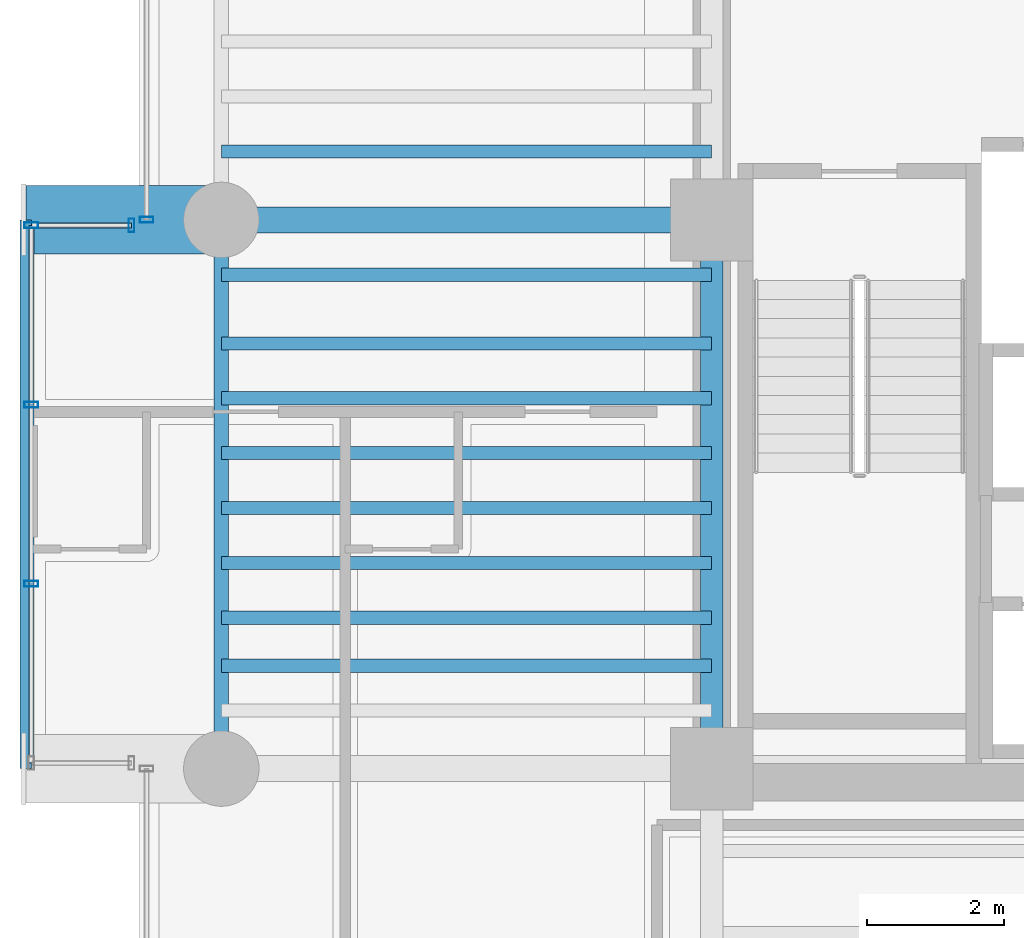
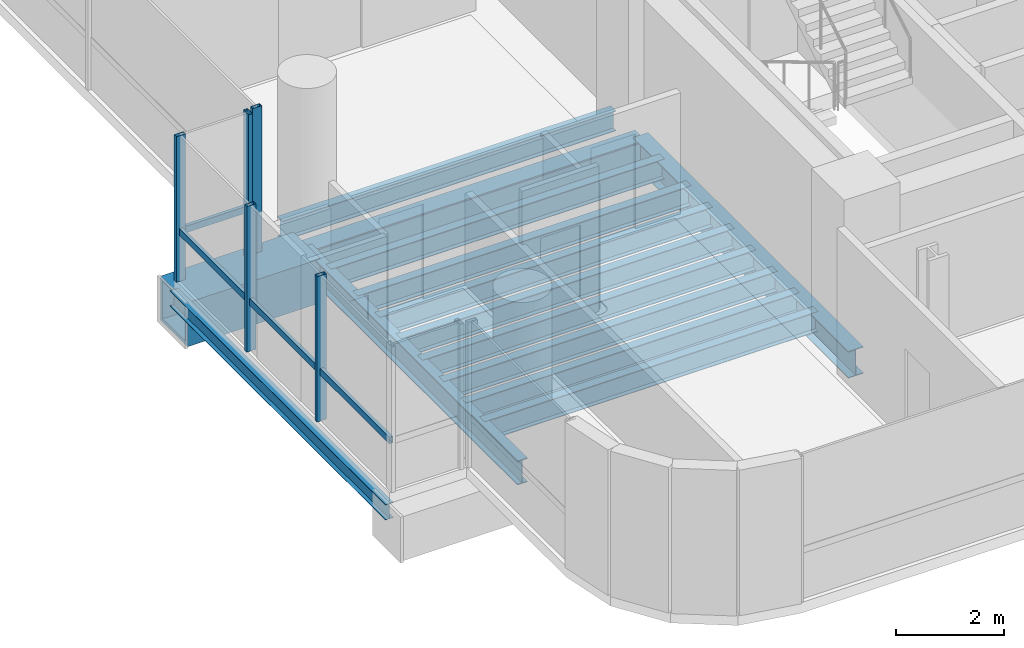
# One storey, part 4 of 35: 14 beams, 7 members, 3 elements without a shape of their own.
"""IFC4 building model written with IfcOpenShell, lengths in metres."""

from ifc_helpers import new_model, si_unit, direction, frame, origin, origin_2d, place, context, subcontext, project, spatial, hollow_rectangle, i_section, extrude, source, transform, mapped, material, material_profile, profile_set, type_object, element, aggregate, save


model = new_model("IFC4")

# Units and contexts
model_context = context("Model", 3, precision=1e-05, world=origin(), true_north=direction((0.0, 1.0)))
body_context = subcontext(model_context, "Body", "Model", "MODEL_VIEW")
ifc_project = project(units=[si_unit("LENGTHUNIT", "METRE"), si_unit("AREAUNIT", "SQUARE_METRE"), si_unit("VOLUMEUNIT", "CUBIC_METRE"), si_unit("PLANEANGLEUNIT", "RADIAN"), si_unit("MASSUNIT", "GRAM", prefix="KILO")], contexts=[model_context])

# Site, building, storey
site_placement = place(None, origin())
site = spatial("IfcSite", under=ifc_project, at=site_placement, CompositionType="ELEMENT")
building_placement = place(site_placement, origin())
building = spatial("IfcBuilding", under=site, at=building_placement, Name="Valdorenza Pilgrim Sanctuary Tower", CompositionType="ELEMENT")
storey_placement = place(building_placement, frame((0.0, 0.0, 168.60009765625)))
storey = spatial("IfcBuildingStorey", under=building, at=storey_placement, Name="L43", CompositionType="ELEMENT", Elevation=168.60009765625)

# Beams
ifc_material_1 = material(Name="Steel ASTM A992 Grade 50", Category="steel")
ifc_material_profile_1 = material_profile(ifc_material_1, i_section(OverallWidth=0.214111328125, OverallDepth=0.549072265625, WebThickness=0.0146484375, FlangeThickness=0.023681640625, at=origin_2d()), Name="W21X93")
ifc_profile_set_1 = profile_set([ifc_material_profile_1], Name="Steel ASTM A992 Grade 50")
beam_type_1 = type_object("IfcBeamType", Name="STR-BM-SPN-W21A", PredefinedType="SPANDREL", material=ifc_profile_set_1)
shared_shape_1 = source(origin(), body_context, "Body", "SweptSolid", [
    extrude(i_section(OverallWidth=0.214111328125, OverallDepth=0.549072265625, WebThickness=0.0146484375, FlangeThickness=0.023681640625, at=origin_2d()), origin(), (0.0, 0.0, 1.0), 8.0),
])
beam_1_placement = place(storey_placement, frame((-29.800048828125, -10.60009765625, -0.5146484375), z_axis=(0.0, 1.0, 0.0), x_axis=(-1.0, 0.0, 0.0)))
element("IfcBeam", 1, at=beam_1_placement, inside=storey, type_object=beam_type_1, Name="L43 Spandrel Beam WA-W-S1M0", PredefinedType="SPANDREL", context=body_context, shape_type="MappedRepresentation", body=[
    mapped(shared_shape_1, transform((0.0, 0.0, 0.0), x_axis=(1.0, 0.0, 0.0), y_axis=(0.0, 1.0, 0.0), z_axis=(0.0, 0.0, 1.0), scale=1.0)),
])
ifc_material_profile_2 = material_profile(ifc_material_1, i_section(OverallWidth=0.323974609375, OverallDepth=0.611083984375, WebThickness=0.0126953125, FlangeThickness=0.01904296875, at=origin_2d()), Name="W24X104")
ifc_profile_set_2 = profile_set([ifc_material_profile_2], Name="Steel ASTM A992 Grade 50")
beam_type_2 = type_object("IfcBeamType", Name="STR-BM-GRD-W24B", PredefinedType="BEAM", material=ifc_profile_set_2)
shared_shape_2 = source(origin(), body_context, "Body", "SweptSolid", [
    extrude(i_section(OverallWidth=0.323974609375, OverallDepth=0.611083984375, WebThickness=0.0126953125, FlangeThickness=0.01904296875, at=origin_2d()), origin(), (0.0, 0.0, 1.0), 8.0),
])
beam_2_placement = place(storey_placement, frame((-22.64990234375, -10.60009765625, -0.545654296875), z_axis=(0.0, 1.0, 0.0), x_axis=(-1.0, 0.0, 0.0)))
element("IfcBeam", 2, at=beam_2_placement, inside=storey, type_object=beam_type_2, Name="L43 Core Tie Girder CA-W-S1M0", PredefinedType="BEAM", context=body_context, shape_type="MappedRepresentation", body=[
    mapped(shared_shape_2, transform((0.0, 0.0, 0.0), x_axis=(1.0, 0.0, 0.0), y_axis=(0.0, 1.0, 0.0), z_axis=(0.0, 0.0, 1.0), scale=1.0)),
])
ifc_material_profile_3 = material_profile(ifc_material_1, i_section(OverallWidth=0.1708984375, OverallDepth=0.35107421875, WebThickness=0.0068359375, FlangeThickness=0.009765625, at=origin_2d()), Name="W14X30")
ifc_profile_set_3 = profile_set([ifc_material_profile_3], Name="Steel ASTM A992 Grade 50")
beam_type_3 = type_object("IfcBeamType", Name="STR-BM-BOX-W14", PredefinedType="BEAM", material=ifc_profile_set_3)
shared_shape_3 = source(origin(), body_context, "Body", "SweptSolid", [
    extrude(i_section(OverallWidth=0.1708984375, OverallDepth=0.35107421875, WebThickness=0.0068359375, FlangeThickness=0.009765625, at=origin_2d()), origin(), (0.0, 0.0, 1.0), 8.0),
])
beam_3_placement = place(storey_placement, frame((-32.64990234375, -10.60009765625, -0.41552734375), z_axis=(0.0, 1.0, 0.0), x_axis=(-1.0, 0.0, 0.0)))
element("IfcBeam", 3, at=beam_3_placement, inside=storey, type_object=beam_type_3, Name="L43 Glass Box Edge Beam BOX-WA-L43-F", PredefinedType="BEAM", context=body_context, shape_type="MappedRepresentation", body=[
    mapped(shared_shape_3, transform((0.0, 0.0, 0.0), x_axis=(1.0, 0.0, 0.0), y_axis=(0.0, 1.0, 0.0), z_axis=(0.0, 0.0, 1.0), scale=1.0)),
])
ifc_material_profile_4 = material_profile(ifc_material_1, i_section(OverallWidth=0.382080078125, OverallDepth=0.779052734375, WebThickness=0.01806640625, FlangeThickness=0.030029296875, at=origin_2d()), Name="W30X191")
ifc_profile_set_4 = profile_set([ifc_material_profile_4], Name="Steel ASTM A992 Grade 50")
beam_type_4 = type_object("IfcBeamType", Name="STR-BM-GRD-W30", PredefinedType="BEAM", material=ifc_profile_set_4)
shared_shape_4 = source(origin(), body_context, "Body", "SweptSolid", [
    extrude(i_section(OverallWidth=0.382080078125, OverallDepth=0.779052734375, WebThickness=0.01806640625, FlangeThickness=0.030029296875, at=origin_2d()), origin(), (0.0, 0.0, 1.0), 7.150146484375),
])
beam_4_placement = place(storey_placement, frame((-29.800048828125, -2.60009765625, -0.629638671875), z_axis=(1.0, 0.0, 0.0), x_axis=(0.0, 1.0, 0.0)))
element("IfcBeam", 4, at=beam_4_placement, inside=storey, type_object=beam_type_4, Name="L43 Floor Girder WA-XW-M0", PredefinedType="BEAM", context=body_context, shape_type="MappedRepresentation", body=[
    mapped(shared_shape_4, transform((0.0, 0.0, 0.0), x_axis=(1.0, 0.0, 0.0), y_axis=(0.0, 1.0, 0.0), z_axis=(0.0, 0.0, 1.0), scale=1.0)),
])
ifc_material_profile_5 = material_profile(ifc_material_1, i_section(OverallWidth=0.19091796875, OverallDepth=0.45703125, WebThickness=0.009033203125, FlangeThickness=0.014404296875, at=origin_2d()), Name="W18X50")
ifc_profile_set_5 = profile_set([ifc_material_profile_5], Name="Steel ASTM A992 Grade 50")
beam_type_5 = type_object("IfcBeamType", Name="STR-BM-JST-W18B", PredefinedType="JOIST", material=ifc_profile_set_5)
shared_shape_5 = source(origin(), body_context, "Body", "SweptSolid", [
    extrude(i_section(OverallWidth=0.19091796875, OverallDepth=0.45703125, WebThickness=0.009033203125, FlangeThickness=0.014404296875, at=origin_2d()), origin(), (0.0, 0.0, 1.0), 7.150146484375),
])
for number, where, z_axis, x_axis, name in (
    (5, (-29.800048828125, -9.10009765625, -0.468505859375), (1.0, 0.0, 0.0), (0.0, 1.0, 0.0), "L43 Composite Floor Joist JST-WA-2"),
    (6, (-29.800048828125, -8.39990234375, -0.468505859375), (1.0, 0.0, 0.0), (0.0, 1.0, 0.0), "L43 Composite Floor Joist JST-WA-3"),
    (7, (-29.800048828125, -7.60009765625, -0.468505859375), (1.0, 0.0, 0.0), (0.0, 1.0, 0.0), "L43 Composite Floor Joist JST-WA-4"),
    (8, (-29.800048828125, -6.800048828125, -0.468505859375), (1.0, 0.0, 0.0), (0.0, 1.0, 0.0), "L43 Composite Floor Joist JST-WA-5"),
    (9, (-29.800048828125, -6.0, -0.468505859375), (1.0, 0.0, 0.0), (0.0, 1.0, 0.0), "L43 Composite Floor Joist JST-WA-6"),
    (10, (-29.800048828125, -5.199951171875, -0.468505859375), (1.0, 0.0, 0.0), (0.0, 1.0, 0.0), "L43 Composite Floor Joist JST-WA-7"),
    (11, (-29.800048828125, -4.39990234375, -0.468505859375), (1.0, 0.0, 0.0), (0.0, 1.0, 0.0), "L43 Composite Floor Joist JST-WA-8"),
    (12, (-29.800048828125, -3.39990234375, -0.468505859375), (1.0, 0.0, 0.0), (0.0, 1.0, 0.0), "L43 Composite Floor Joist JST-WA-9"),
    (13, (-29.800048828125, -1.60009765625, -0.468505859375), (1.0, 0.0, 0.0), (0.0, 1.0, 0.0), "L43 Composite Floor Joist JST-WA-10"),
):
    element("IfcBeam", number, at=place(storey_placement, frame(where, z_axis=z_axis, x_axis=x_axis)), inside=storey, type_object=beam_type_5, Name=name, PredefinedType="JOIST", context=body_context, shape_type="MappedRepresentation", body=[
        mapped(shared_shape_5, transform((0.0, 0.0, 0.0), x_axis=(1.0, 0.0, 0.0), y_axis=(0.0, 1.0, 0.0), z_axis=(0.0, 0.0, 1.0), scale=1.0)),
    ])
ifc_material_2 = material(Name="Steel ASTM A572 Grade 42", Category="steel")
ifc_material_profile_6 = material_profile(ifc_material_2, hollow_rectangle(XDim=1.0, YDim=1.0, WallThickness=0.080078125, at=origin_2d()), Name="BOX 1000x1000x80")
ifc_profile_set_6 = profile_set([ifc_material_profile_6], Name="Steel ASTM A572 Grade 42")
beam_type_6 = type_object("IfcBeamType", Name="STR-BM-PROW-CANT", PredefinedType="BEAM", material=ifc_profile_set_6)
shared_shape_6 = source(origin(), body_context, "Body", "SweptSolid", [
    extrude(hollow_rectangle(XDim=1.0, YDim=1.0, WallThickness=0.080078125, at=origin_2d()), origin(), (0.0, 0.0, 1.0), 2.849853515625),
])
beam_5_placement = place(storey_placement, frame((-29.800048828125, -2.60009765625, -0.739990234375), z_axis=(-1.0, 0.0, 0.0), x_axis=(0.0, -1.0, 0.0)))
element("IfcBeam", 14, at=beam_5_placement, inside=storey, type_object=beam_type_6, Name="L43 Glass Box Cantilever Beam BOX-WA-L43-CT-N", PredefinedType="BEAM", context=body_context, shape_type="MappedRepresentation", body=[
    mapped(shared_shape_6, transform((0.0, 0.0, 0.0), x_axis=(1.0, 0.0, 0.0), y_axis=(0.0, 1.0, 0.0), z_axis=(0.0, 0.0, 1.0), scale=1.0)),
])

# Curtain wall, member
ifc_material_3 = material(Name="Curtain-wall IGU glazing", Category="glass")
curtain_wall_type = type_object("IfcCurtainWallType", Name="CW-SYS-02", PredefinedType="NOTDEFINED", material=ifc_material_3)
curtain_wall_1_placement = place(storey_placement, origin())
curtain_wall_1 = element("IfcCurtainWall", 15, at=curtain_wall_1_placement, inside=storey, type_object=curtain_wall_type, Name="L43 Curtain Wall CW-L43-BOX-WA-L43-N", PredefinedType="NOTDEFINED")
ifc_material_4 = material(Name="Anodised aluminium AW-6060", Category="aluminium")
ifc_material_profile_7 = material_profile(ifc_material_4, hollow_rectangle(XDim=0.074951171875, YDim=0.14990234375, WallThickness=0.00390625, at=origin_2d()), Name="ALU-T 150x75x4")
ifc_profile_set_7 = profile_set([ifc_material_profile_7], Name="Anodised aluminium AW-6060")
member_type_1 = type_object("IfcMemberType", Name="CW-TRN-02", PredefinedType="USERDEFINED", material=ifc_profile_set_7)
shared_shape_7 = source(origin(), body_context, "Body", "SweptSolid", [
    extrude(hollow_rectangle(XDim=0.074951171875, YDim=0.14990234375, WallThickness=0.00390625, at=origin_2d()), origin(), (0.0, 0.0, 1.0), 1.4599609375),
])
member_1_placement = place(storey_placement, frame((-32.570068359375, -2.679931640625, 1.119873046875), z_axis=(1.0, 0.0, 0.0), x_axis=(0.0, 1.0, 0.0)))
member_1 = element("IfcMember", 16, at=member_1_placement, type_object=member_type_1, Name="CW-L43-BOX-WA-L43-N Transom 1", ObjectType="TRANSOM", PredefinedType="USERDEFINED", context=body_context, shape_type="MappedRepresentation", body=[
    mapped(shared_shape_7, transform((0.0, 0.0, 0.0), x_axis=(1.0, 0.0, 0.0), y_axis=(0.0, 1.0, 0.0), z_axis=(0.0, 0.0, 1.0), scale=1.0)),
])

curtain_wall_2_placement = place(storey_placement, origin())
curtain_wall_2 = element("IfcCurtainWall", 17, at=curtain_wall_2_placement, inside=storey, type_object=curtain_wall_type, Name="L43 Curtain Wall CW-L43-BOX-WA-L43-F", PredefinedType="NOTDEFINED")
shared_shape_8 = source(origin(), body_context, "Body", "SweptSolid", [
    extrude(hollow_rectangle(XDim=0.074951171875, YDim=0.14990234375, WallThickness=0.00390625, at=origin_2d()), origin(), (0.0, 0.0, 1.0), 7.840087890625),
])
member_2_placement = place(storey_placement, frame((-32.570068359375, -10.52001953125, 1.119873046875), z_axis=(0.0, 1.0, 0.0), x_axis=(-1.0, 0.0, 0.0)))
member_2 = element("IfcMember", 18, at=member_2_placement, type_object=member_type_1, Name="CW-L43-BOX-WA-L43-F Transom 1", ObjectType="TRANSOM", PredefinedType="USERDEFINED", context=body_context, shape_type="MappedRepresentation", body=[
    mapped(shared_shape_8, transform((0.0, 0.0, 0.0), x_axis=(1.0, 0.0, 0.0), y_axis=(0.0, 1.0, 0.0), z_axis=(0.0, 0.0, 1.0), scale=1.0)),
])

curtain_wall_3_placement = place(storey_placement, origin())
curtain_wall_3 = element("IfcCurtainWall", 19, at=curtain_wall_3_placement, inside=storey, type_object=curtain_wall_type, Name="L43 Curtain Wall CW-L43-1-1S2", PredefinedType="NOTDEFINED")
ifc_material_profile_8 = material_profile(ifc_material_4, hollow_rectangle(XDim=0.0849609375, YDim=0.199951171875, WallThickness=0.0048828125, at=origin_2d()), Name="ALU-M 200x85x5")
ifc_profile_set_8 = profile_set([ifc_material_profile_8], Name="Anodised aluminium AW-6060")
member_type_2 = type_object("IfcMemberType", Name="CW-MUL-02", PredefinedType="MULLION", material=ifc_profile_set_8)
shared_shape_9 = source(origin(), body_context, "Body", "SweptSolid", [
    extrude(hollow_rectangle(XDim=0.0849609375, YDim=0.199951171875, WallThickness=0.0048828125, at=origin_2d()), origin(), (0.0, 0.0, 1.0), 3.2998046875),
])
member_3_placement = place(storey_placement, frame((-30.889892578125, -2.60009765625, 0.0), z_axis=(0.0, 0.0, 1.0), x_axis=(0.0, 1.0, 0.0)))
member_3 = element("IfcMember", 20, at=member_3_placement, type_object=member_type_2, Name="CW-L43-1-1S2 Mullion 1", PredefinedType="MULLION", context=body_context, shape_type="MappedRepresentation", body=[
    mapped(shared_shape_9, transform((0.0, 0.0, 0.0), x_axis=(1.0, 0.0, 0.0), y_axis=(0.0, 1.0, 0.0), z_axis=(0.0, 0.0, 1.0), scale=1.0)),
])
aggregate(curtain_wall_3, [member_3])

# Member
member_4_placement = place(storey_placement, frame((-32.570068359375, -7.90673828125, 0.0), z_axis=(0.0, 0.0, 1.0), x_axis=(0.0, 1.0, 0.0)))
member_4 = element("IfcMember", 21, at=member_4_placement, type_object=member_type_2, Name="CW-L43-BOX-WA-L43-F Mullion 2", PredefinedType="MULLION", context=body_context, shape_type="MappedRepresentation", body=[
    mapped(shared_shape_9, transform((0.0, 0.0, 0.0), x_axis=(1.0, 0.0, 0.0), y_axis=(0.0, 1.0, 0.0), z_axis=(0.0, 0.0, 1.0), scale=1.0)),
])

member_5_placement = place(storey_placement, frame((-32.570068359375, -5.293212890625, 0.0), z_axis=(0.0, 0.0, 1.0), x_axis=(0.0, 1.0, 0.0)))
member_5 = element("IfcMember", 22, at=member_5_placement, type_object=member_type_2, Name="CW-L43-BOX-WA-L43-F Mullion 3", PredefinedType="MULLION", context=body_context, shape_type="MappedRepresentation", body=[
    mapped(shared_shape_9, transform((0.0, 0.0, 0.0), x_axis=(1.0, 0.0, 0.0), y_axis=(0.0, 1.0, 0.0), z_axis=(0.0, 0.0, 1.0), scale=1.0)),
])

member_6_placement = place(storey_placement, frame((-32.570068359375, -2.679931640625, 0.0), z_axis=(0.0, 0.0, 1.0), x_axis=(0.0, 1.0, 0.0)))
member_6 = element("IfcMember", 23, at=member_6_placement, type_object=member_type_2, Name="CW-L43-BOX-WA-L43-F Mullion 4", PredefinedType="MULLION", context=body_context, shape_type="MappedRepresentation", body=[
    mapped(shared_shape_9, transform((0.0, 0.0, 0.0), x_axis=(1.0, 0.0, 0.0), y_axis=(0.0, 1.0, 0.0), z_axis=(0.0, 0.0, 1.0), scale=1.0)),
])

aggregate(curtain_wall_2, [member_4, member_5, member_6, member_2])

member_7_placement = place(storey_placement, frame((-31.110107421875, -2.679931640625, 0.0), z_axis=(0.0, 0.0, 1.0), x_axis=(1.0, 0.0, 0.0)))
member_7 = element("IfcMember", 24, at=member_7_placement, type_object=member_type_2, Name="CW-L43-BOX-WA-L43-N Mullion 2", PredefinedType="MULLION", context=body_context, shape_type="MappedRepresentation", body=[
    mapped(shared_shape_9, transform((0.0, 0.0, 0.0), x_axis=(1.0, 0.0, 0.0), y_axis=(0.0, 1.0, 0.0), z_axis=(0.0, 0.0, 1.0), scale=1.0)),
])

aggregate(curtain_wall_1, [member_7, member_1])

save(model, "model.ifc")
